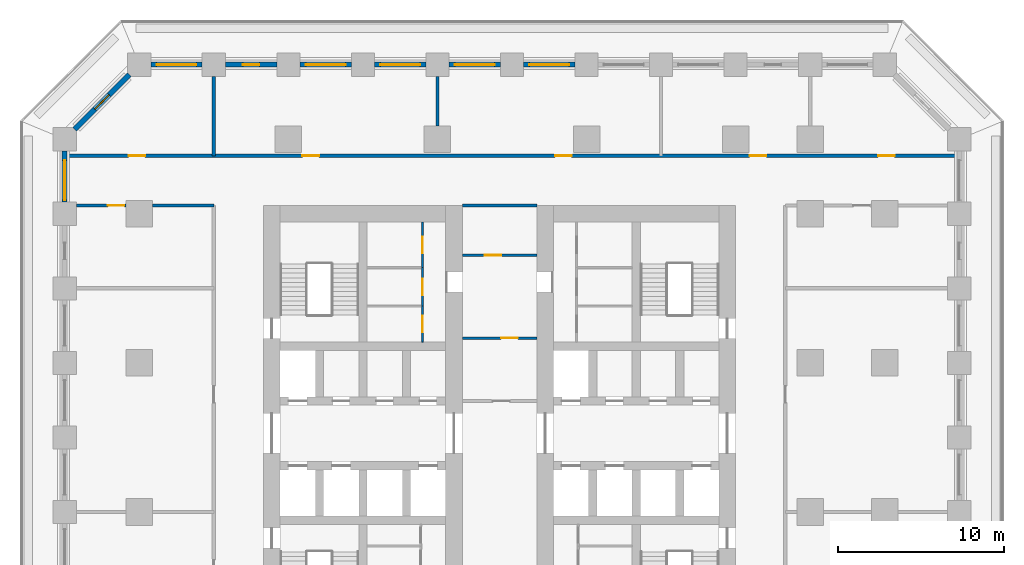
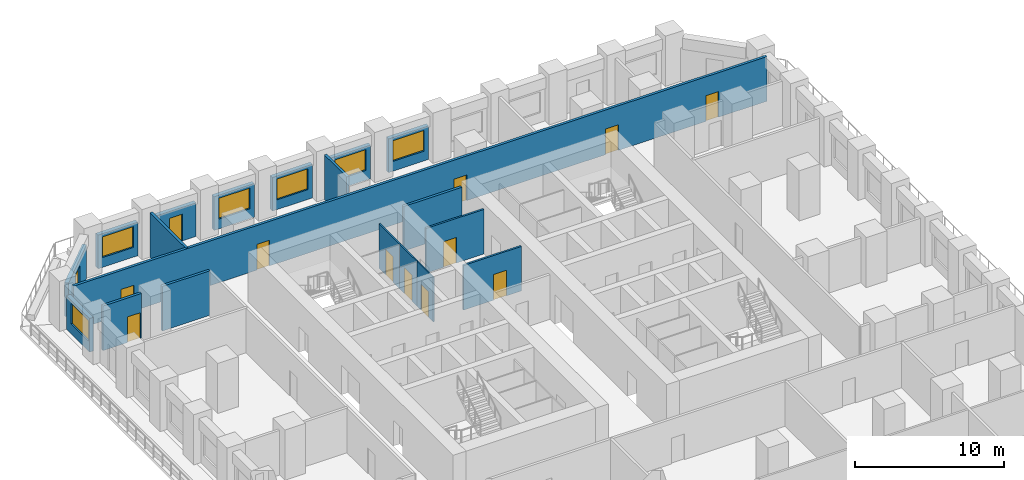
# One storey, part 6 of 11: 19 walls, 13 doors, 6 windows, 19 openings.
"""IFC4 building model written with IfcOpenShell, lengths in metres."""

from ifc_helpers import new_model, si_unit, direction, frame, frame_2d, origin, place, context, subcontext, project, spatial, rectangle, extrude, material, layer, layer_set, type_object, element, fill, save


model = new_model("IFC4")

# Units and contexts
model_context = context("Model", 3, precision=1e-05, world=origin(), true_north=direction((0.0, 1.0)))
body_context = subcontext(model_context, "Body", "Model", "MODEL_VIEW")
ifc_project = project(units=[si_unit("LENGTHUNIT", "METRE"), si_unit("AREAUNIT", "SQUARE_METRE"), si_unit("VOLUMEUNIT", "CUBIC_METRE"), si_unit("PLANEANGLEUNIT", "RADIAN"), si_unit("MASSUNIT", "GRAM", prefix="KILO")], contexts=[model_context])

# Site, building, storey
site_placement = place(None, origin())
site = spatial("IfcSite", under=ifc_project, at=site_placement, CompositionType="ELEMENT")
building_placement = place(site_placement, origin())
building = spatial("IfcBuilding", under=site, at=building_placement, Name="Corbel Stack Research Tower", CompositionType="ELEMENT")
storey_placement = place(building_placement, frame((0.0, 0.0, 46.0)))
storey = spatial("IfcBuildingStorey", under=building, at=storey_placement, Name="L10", CompositionType="ELEMENT", Elevation=46.0)

# Wall, opening, door
ifc_material_1 = material(Name="Gypsum board")
ifc_layer_1 = layer(ifc_material_1, 0.10009765625)
ifc_layer_set_1 = layer_set([ifc_layer_1], Name="Gypsum board")
wall_type_1 = type_object("IfcWallType", Name="Core partition 100", PredefinedType="PARTITIONING", material=ifc_layer_set_1)
wall_1_placement = place(storey_placement, frame((-0.89990234375, 10.25, 0.0), z_axis=(0.0, 0.0, 1.0), x_axis=(0.0, 1.0, 0.0)))
wall_1 = element("IfcWall", 1, at=wall_1_placement, inside=storey, type_object=wall_type_1, Name="Core partition W", PredefinedType="PARTITIONING", context=body_context, shape_type="SweptSolid", body=[
    extrude(rectangle(XDim=2.175048828125, YDim=0.10009765625, at=frame_2d((1.08740234375, 0.0))), origin(), (0.0, 0.0, 1.0), 3.64990234375),
])
opening_1_placement = place(wall_1_placement, frame((0.58740234375, 0.0, 0.0)))
opening_1 = element("IfcOpeningElement", 2, at=opening_1_placement, cuts=wall_1, Name="Opening CR-W42-R2-1000", PredefinedType="OPENING", context=body_context, shape_type="SweptSolid", body=[
    extrude(rectangle(XDim=1.0, YDim=2.10009765625, at=frame_2d((0.5, 1.050048828125))), frame((0.0, 0.06005859375, 0.0), z_axis=(0.0, -1.0, 0.0), x_axis=(1.0, 0.0, 0.0)), (0.0, 0.0, 1.0), 0.1201171875),
])
ifc_material_2 = material(Name="Painted steel door", Category="steel")
door_type_1 = type_object("IfcDoorType", Name="Riser door 1000 x 2100 FD60 right hand", OperationType="SINGLE_SWING_RIGHT", PredefinedType="DOOR", material=ifc_material_2)
door_1_placement = place(opening_1_placement, origin())
door_1 = element("IfcDoor", 3, at=door_1_placement, inside=storey, type_object=door_type_1, Name="Mechanical riser door W core", OperationType="SINGLE_SWING_RIGHT", OverallHeight=2.10009765625, OverallWidth=1.0, PredefinedType="DOOR", context=body_context, shape_type="SweptSolid", body=[
    extrude(rectangle(XDim=1.0, YDim=2.10009765625, at=frame_2d((0.5, 1.050048828125))), frame((0.0, 0.02490234375, 0.0), z_axis=(0.0, -1.0, 0.0), x_axis=(1.0, 0.0, 0.0)), (0.0, 0.0, 1.0), 0.050048828125),
])
fill(opening_1, door_1)

wall_2_placement = place(storey_placement, frame((-0.89990234375, 12.425048828125, 0.0), z_axis=(0.0, 0.0, 1.0), x_axis=(0.0, 1.0, 0.0)))
wall_2 = element("IfcWall", 4, at=wall_2_placement, inside=storey, type_object=wall_type_1, Name="Core partition W", PredefinedType="PARTITIONING", context=body_context, shape_type="SweptSolid", body=[
    extrude(rectangle(XDim=2.320068359375, YDim=0.10009765625, at=frame_2d((1.16015625, 0.0))), origin(), (0.0, 0.0, 1.0), 3.64990234375),
])
opening_2_placement = place(wall_2_placement, frame((0.659912109375, 0.0, 0.0)))
opening_2 = element("IfcOpeningElement", 5, at=opening_2_placement, cuts=wall_2, Name="Opening CR-W42-R3-1000", PredefinedType="OPENING", context=body_context, shape_type="SweptSolid", body=[
    extrude(rectangle(XDim=1.0, YDim=2.10009765625, at=frame_2d((0.5, 1.050048828125))), frame((0.0, 0.06005859375, 0.0), z_axis=(0.0, -1.0, 0.0), x_axis=(1.0, 0.0, 0.0)), (0.0, 0.0, 1.0), 0.1201171875),
])
ifc_material_3 = material(Name="Painted steel door", Category="steel")
door_type_2 = type_object("IfcDoorType", Name="Service door 1000 x 2100 FD30 left hand", OperationType="SINGLE_SWING_LEFT", PredefinedType="DOOR", material=ifc_material_3)
door_2_placement = place(opening_2_placement, origin())
door_2 = element("IfcDoor", 6, at=door_2_placement, inside=storey, type_object=door_type_2, Name="Pantry door W core", OperationType="SINGLE_SWING_LEFT", OverallHeight=2.10009765625, OverallWidth=1.0, PredefinedType="DOOR", context=body_context, shape_type="SweptSolid", body=[
    extrude(rectangle(XDim=1.0, YDim=2.10009765625, at=frame_2d((0.5, 1.050048828125))), frame((0.0, 0.02490234375, 0.0), z_axis=(0.0, -1.0, 0.0), x_axis=(1.0, 0.0, 0.0)), (0.0, 0.0, 1.0), 0.050048828125),
])
fill(opening_2, door_2)

wall_3_placement = place(storey_placement, frame((-0.89990234375, 14.7451171875, 0.0), z_axis=(0.0, 0.0, 1.0), x_axis=(0.0, 1.0, 0.0)))
wall_3 = element("IfcWall", 7, at=wall_3_placement, inside=storey, type_object=wall_type_1, Name="Core partition W", PredefinedType="PARTITIONING", context=body_context, shape_type="SweptSolid", body=[
    extrude(rectangle(XDim=2.7548828125, YDim=0.10009765625, at=frame_2d((1.37744140625, 0.0))), origin(), (0.0, 0.0, 1.0), 3.64990234375),
])
opening_3_placement = place(wall_3_placement, frame((0.87744140625, 0.0, 0.0)))
opening_3 = element("IfcOpeningElement", 8, at=opening_3_placement, cuts=wall_3, Name="Opening CR-W42-R4-1000", PredefinedType="OPENING", context=body_context, shape_type="SweptSolid", body=[
    extrude(rectangle(XDim=1.0, YDim=2.10009765625, at=frame_2d((0.5, 1.050048828125))), frame((0.0, 0.06005859375, 0.0), z_axis=(0.0, -1.0, 0.0), x_axis=(1.0, 0.0, 0.0)), (0.0, 0.0, 1.0), 0.1201171875),
])
door_3_placement = place(opening_3_placement, origin())
door_3 = element("IfcDoor", 9, at=door_3_placement, inside=storey, type_object=door_type_1, Name="Electrical riser door W core", OperationType="SINGLE_SWING_RIGHT", OverallHeight=2.10009765625, OverallWidth=1.0, PredefinedType="DOOR", context=body_context, shape_type="SweptSolid", body=[
    extrude(rectangle(XDim=1.0, YDim=2.10009765625, at=frame_2d((0.5, 1.050048828125))), frame((0.0, 0.02490234375, 0.0), z_axis=(0.0, -1.0, 0.0), x_axis=(1.0, 0.0, 0.0)), (0.0, 0.0, 1.0), 0.050048828125),
])
fill(opening_3, door_3)

# Walls
ifc_material_4 = material(Name="Fire-rated gypsum board partition on steel studs", Category="steel")
ifc_layer_2 = layer(ifc_material_4, 0.199951171875)
ifc_layer_set_2 = layer_set([ifc_layer_2], Name="Fire-rated gypsum board partition on steel studs")
wall_type_2 = type_object("IfcWallType", Name="Fire-rated partition 200 EI 60", PredefinedType="PARTITIONING", material=ifc_layer_set_2)
wall_4_placement = place(storey_placement, frame((-13.5, 21.5, 0.0), z_axis=(0.0, 0.0, 1.0), x_axis=(0.0, 1.0, 0.0)))
element("IfcWall", 10, at=wall_4_placement, inside=storey, type_object=wall_type_2, Name="Partition L10-003", PredefinedType="PARTITIONING", context=body_context, shape_type="SweptSolid", body=[
    extrude(rectangle(XDim=4.800048828125, YDim=0.199951171875, at=frame_2d((2.39990234375, 0.0))), origin(), (0.0, 0.0, 1.0), 3.64990234375),
])
wall_5_placement = place(storey_placement, frame((0.0, 23.300048828125, 0.0), z_axis=(0.0, 0.0, 1.0), x_axis=(0.0, 1.0, 0.0)))
element("IfcWall", 11, at=wall_5_placement, inside=storey, type_object=wall_type_2, Name="Partition L10-006", PredefinedType="PARTITIONING", context=body_context, shape_type="SweptSolid", body=[
    extrude(rectangle(XDim=3.0, YDim=0.199951171875, at=frame_2d((1.5, 0.0))), origin(), (0.0, 0.0, 1.0), 3.64990234375),
])

# Wall, opening, door
wall_6_placement = place(storey_placement, frame((-18.800048828125, 18.5, 0.0), z_axis=(0.0, 0.0, 1.0), x_axis=(-1.0, 0.0, 0.0)))
wall_6 = element("IfcWall", 12, at=wall_6_placement, inside=storey, type_object=wall_type_2, Name="Partition L10-030", PredefinedType="PARTITIONING", context=body_context, shape_type="SweptSolid", body=[
    extrude(rectangle(XDim=3.0, YDim=0.199951171875, at=frame_2d((1.5, 0.0))), origin(), (0.0, 0.0, 1.0), 3.64990234375),
])
opening_4_placement = place(wall_6_placement, frame((0.10009765625, 0.0, 0.0)))
opening_4 = element("IfcOpeningElement", 13, at=opening_4_placement, cuts=wall_6, Name="Opening B2V1-017", PredefinedType="OPENING", context=body_context, shape_type="SweptSolid", body=[
    extrude(rectangle(XDim=1.0, YDim=2.10009765625, at=frame_2d((0.5, 1.050048828125))), frame((0.0, 0.10986328125, 0.0), z_axis=(0.0, -1.0, 0.0), x_axis=(1.0, 0.0, 0.0)), (0.0, 0.0, 1.0), 0.219970703125),
])
ifc_material_5 = material(Name="Painted steel fire door", Category="steel")
door_type_3 = type_object("IfcDoorType", Name="Fire door FD30S 1000 x 2100", OperationType="NOTDEFINED", PredefinedType="DOOR", material=ifc_material_5)
door_4_placement = place(opening_4_placement, origin())
door_4 = element("IfcDoor", 14, at=door_4_placement, inside=storey, type_object=door_type_3, Name="Door B2V1-017", OperationType="SINGLE_SWING_LEFT", OverallHeight=2.10009765625, OverallWidth=1.0, PredefinedType="DOOR", context=body_context, shape_type="SweptSolid", body=[
    extrude(rectangle(XDim=1.0, YDim=2.10009765625, at=frame_2d((0.5, 1.050048828125))), frame((0.0, 0.02490234375, 0.0), z_axis=(0.0, -1.0, 0.0), x_axis=(1.0, 0.0, 0.0)), (0.0, 0.0, 1.0), 0.050048828125),
])
fill(opening_4, door_4)

# Walls
wall_7_placement = place(storey_placement, frame((-17.199951171875, 18.5, 0.0), z_axis=(0.0, 0.0, 1.0), x_axis=(1.0, 0.0, 0.0)))
element("IfcWall", 15, at=wall_7_placement, inside=storey, type_object=wall_type_2, Name="Partition L10-031", PredefinedType="PARTITIONING", context=body_context, shape_type="SweptSolid", body=[
    extrude(rectangle(XDim=3.699951171875, YDim=0.199951171875, at=frame_2d((1.85009765625, 0.0))), origin(), (0.0, 0.0, 1.0), 3.64990234375),
])
wall_8_placement = place(storey_placement, frame((1.5, 18.5, 0.0), z_axis=(0.0, 0.0, 1.0), x_axis=(1.0, 0.0, 0.0)))
element("IfcWall", 16, at=wall_8_placement, inside=storey, type_object=wall_type_2, Name="Partition L10-032", PredefinedType="PARTITIONING", context=body_context, shape_type="SweptSolid", body=[
    extrude(rectangle(XDim=4.5, YDim=0.199951171875, at=frame_2d((2.25, 0.0))), origin(), (0.0, 0.0, 1.0), 3.64990234375),
])

# Wall, openings, doors
wall_9_placement = place(storey_placement, frame((-22.35009765625, 21.5, 0.0), z_axis=(0.0, 0.0, 1.0), x_axis=(1.0, 0.0, 0.0)))
wall_9 = element("IfcWall", 17, at=wall_9_placement, inside=storey, type_object=wall_type_2, Name="Partition L10-036", PredefinedType="PARTITIONING", context=body_context, shape_type="SweptSolid", body=[
    extrude(rectangle(XDim=53.7001953125, YDim=0.199951171875, at=frame_2d((26.85009765625, 0.0))), origin(), (0.0, 0.0, 1.0), 3.64990234375),
])
opening_5_placement = place(wall_9_placement, frame((3.699951171875, 0.0, 0.0)))
opening_5 = element("IfcOpeningElement", 18, at=opening_5_placement, cuts=wall_9, Name="Opening B2V1-020", PredefinedType="OPENING", context=body_context, shape_type="SweptSolid", body=[
    extrude(rectangle(XDim=1.0, YDim=2.10009765625, at=frame_2d((0.5, 1.050048828125))), frame((0.0, 0.10986328125, 0.0), z_axis=(0.0, -1.0, 0.0), x_axis=(1.0, 0.0, 0.0)), (0.0, 0.0, 1.0), 0.219970703125),
])
opening_6_placement = place(wall_9_placement, frame((14.199951171875, 0.0, 0.0)))
opening_6 = element("IfcOpeningElement", 19, at=opening_6_placement, cuts=wall_9, Name="Opening B2V1-021", PredefinedType="OPENING", context=body_context, shape_type="SweptSolid", body=[
    extrude(rectangle(XDim=1.0, YDim=2.10009765625, at=frame_2d((0.5, 1.050048828125))), frame((0.0, 0.10986328125, 0.0), z_axis=(0.0, -1.0, 0.0), x_axis=(1.0, 0.0, 0.0)), (0.0, 0.0, 1.0), 0.219970703125),
])
opening_7_placement = place(wall_9_placement, frame((29.449951171875, 0.0, 0.0)))
opening_7 = element("IfcOpeningElement", 20, at=opening_7_placement, cuts=wall_9, Name="Opening B2V1-022", PredefinedType="OPENING", context=body_context, shape_type="SweptSolid", body=[
    extrude(rectangle(XDim=1.0, YDim=2.10009765625, at=frame_2d((0.5, 1.050048828125))), frame((0.0, 0.10986328125, 0.0), z_axis=(0.0, -1.0, 0.0), x_axis=(1.0, 0.0, 0.0)), (0.0, 0.0, 1.0), 0.219970703125),
])
opening_8_placement = place(wall_9_placement, frame((41.199951171875, 0.0, 0.0)))
opening_8 = element("IfcOpeningElement", 21, at=opening_8_placement, cuts=wall_9, Name="Opening B2V1-023", PredefinedType="OPENING", context=body_context, shape_type="SweptSolid", body=[
    extrude(rectangle(XDim=1.0, YDim=2.10009765625, at=frame_2d((0.5, 1.050048828125))), frame((0.0, 0.10986328125, 0.0), z_axis=(0.0, -1.0, 0.0), x_axis=(1.0, 0.0, 0.0)), (0.0, 0.0, 1.0), 0.219970703125),
])
opening_9_placement = place(wall_9_placement, frame((48.949951171875, 0.0, 0.0)))
opening_9 = element("IfcOpeningElement", 22, at=opening_9_placement, cuts=wall_9, Name="Opening B2V1-024", PredefinedType="OPENING", context=body_context, shape_type="SweptSolid", body=[
    extrude(rectangle(XDim=1.0, YDim=2.10009765625, at=frame_2d((0.5, 1.050048828125))), frame((0.0, 0.10986328125, 0.0), z_axis=(0.0, -1.0, 0.0), x_axis=(1.0, 0.0, 0.0)), (0.0, 0.0, 1.0), 0.219970703125),
])
door_5_placement = place(opening_5_placement, origin())
door_5 = element("IfcDoor", 23, at=door_5_placement, inside=storey, type_object=door_type_3, Name="Door B2V1-020", OperationType="SINGLE_SWING_LEFT", OverallHeight=2.10009765625, OverallWidth=1.0, PredefinedType="DOOR", context=body_context, shape_type="SweptSolid", body=[
    extrude(rectangle(XDim=1.0, YDim=2.10009765625, at=frame_2d((0.5, 1.050048828125))), frame((0.0, 0.02490234375, 0.0), z_axis=(0.0, -1.0, 0.0), x_axis=(1.0, 0.0, 0.0)), (0.0, 0.0, 1.0), 0.050048828125),
])
fill(opening_5, door_5)
door_6_placement = place(opening_6_placement, origin())
door_6 = element("IfcDoor", 24, at=door_6_placement, inside=storey, type_object=door_type_3, Name="Door B2V1-021", OperationType="SINGLE_SWING_LEFT", OverallHeight=2.10009765625, OverallWidth=1.0, PredefinedType="DOOR", context=body_context, shape_type="SweptSolid", body=[
    extrude(rectangle(XDim=1.0, YDim=2.10009765625, at=frame_2d((0.5, 1.050048828125))), frame((0.0, 0.02490234375, 0.0), z_axis=(0.0, -1.0, 0.0), x_axis=(1.0, 0.0, 0.0)), (0.0, 0.0, 1.0), 0.050048828125),
])
fill(opening_6, door_6)
door_7_placement = place(opening_7_placement, origin())
door_7 = element("IfcDoor", 25, at=door_7_placement, inside=storey, type_object=door_type_3, Name="Door B2V1-022", OperationType="SINGLE_SWING_RIGHT", OverallHeight=2.10009765625, OverallWidth=1.0, PredefinedType="DOOR", context=body_context, shape_type="SweptSolid", body=[
    extrude(rectangle(XDim=1.0, YDim=2.10009765625, at=frame_2d((0.5, 1.050048828125))), frame((0.0, 0.02490234375, 0.0), z_axis=(0.0, -1.0, 0.0), x_axis=(1.0, 0.0, 0.0)), (0.0, 0.0, 1.0), 0.050048828125),
])
fill(opening_7, door_7)
door_8_placement = place(opening_8_placement, origin())
door_8 = element("IfcDoor", 26, at=door_8_placement, inside=storey, type_object=door_type_3, Name="Door B2V1-023", OperationType="SINGLE_SWING_RIGHT", OverallHeight=2.10009765625, OverallWidth=1.0, PredefinedType="DOOR", context=body_context, shape_type="SweptSolid", body=[
    extrude(rectangle(XDim=1.0, YDim=2.10009765625, at=frame_2d((0.5, 1.050048828125))), frame((0.0, 0.02490234375, 0.0), z_axis=(0.0, -1.0, 0.0), x_axis=(1.0, 0.0, 0.0)), (0.0, 0.0, 1.0), 0.050048828125),
])
fill(opening_8, door_8)
door_9_placement = place(opening_9_placement, origin())
door_9 = element("IfcDoor", 27, at=door_9_placement, inside=storey, type_object=door_type_3, Name="Door B2V1-024", OperationType="SINGLE_SWING_RIGHT", OverallHeight=2.10009765625, OverallWidth=1.0, PredefinedType="DOOR", context=body_context, shape_type="SweptSolid", body=[
    extrude(rectangle(XDim=1.0, YDim=2.10009765625, at=frame_2d((0.5, 1.050048828125))), frame((0.0, 0.02490234375, 0.0), z_axis=(0.0, -1.0, 0.0), x_axis=(1.0, 0.0, 0.0)), (0.0, 0.0, 1.0), 0.050048828125),
])
fill(opening_9, door_9)

# Wall, opening, door
ifc_material_6 = material(Name="Gypsum board partition on steel studs", Category="steel")
ifc_layer_3 = layer(ifc_material_6, 0.14990234375)
ifc_layer_set_3 = layer_set([ifc_layer_3], Name="Gypsum board partition on steel studs")
wall_type_3 = type_object("IfcWallType", Name="Partition 150", PredefinedType="PARTITIONING", material=ifc_layer_set_3)
wall_10_placement = place(storey_placement, frame((1.5, 10.5, 0.0), z_axis=(0.0, 0.0, 1.0), x_axis=(1.0, 0.0, 0.0)))
wall_10 = element("IfcWall", 28, at=wall_10_placement, inside=storey, type_object=wall_type_3, Name="Partition L10-026", PredefinedType="PARTITIONING", context=body_context, shape_type="SweptSolid", body=[
    extrude(rectangle(XDim=4.5, YDim=0.14990234375, at=frame_2d((2.25, 0.0))), origin(), (0.0, 0.0, 1.0), 3.64990234375),
])
opening_10_placement = place(wall_10_placement, frame((2.35009765625, 0.0, 0.0)))
opening_10 = element("IfcOpeningElement", 29, at=opening_10_placement, cuts=wall_10, Name="Opening B2V1-015", PredefinedType="OPENING", context=body_context, shape_type="SweptSolid", body=[
    extrude(rectangle(XDim=1.0, YDim=2.10009765625, at=frame_2d((0.5, 1.050048828125))), frame((0.0, 0.0849609375, 0.0), z_axis=(0.0, -1.0, 0.0), x_axis=(1.0, 0.0, 0.0)), (0.0, 0.0, 1.0), 0.169921875),
])
ifc_material_7 = material(Name="Painted timber door", Category="wood")
door_type_4 = type_object("IfcDoorType", Name="Single door 1000 x 2100", OperationType="NOTDEFINED", PredefinedType="DOOR", material=ifc_material_7)
door_10_placement = place(opening_10_placement, origin())
door_10 = element("IfcDoor", 30, at=door_10_placement, inside=storey, type_object=door_type_4, Name="Door B2V1-015", OperationType="SINGLE_SWING_RIGHT", OverallHeight=2.10009765625, OverallWidth=1.0, PredefinedType="DOOR", context=body_context, shape_type="SweptSolid", body=[
    extrude(rectangle(XDim=1.0, YDim=2.10009765625, at=frame_2d((0.5, 1.050048828125))), frame((0.0, 0.02490234375, 0.0), z_axis=(0.0, -1.0, 0.0), x_axis=(1.0, 0.0, 0.0)), (0.0, 0.0, 1.0), 0.050048828125),
])
fill(opening_10, door_10)

wall_11_placement = place(storey_placement, frame((1.5, 15.5, 0.0), z_axis=(0.0, 0.0, 1.0), x_axis=(1.0, 0.0, 0.0)))
wall_11 = element("IfcWall", 31, at=wall_11_placement, inside=storey, type_object=wall_type_3, Name="Partition L10-029", PredefinedType="PARTITIONING", context=body_context, shape_type="SweptSolid", body=[
    extrude(rectangle(XDim=4.5, YDim=0.14990234375, at=frame_2d((2.25, 0.0))), origin(), (0.0, 0.0, 1.0), 3.64990234375),
])
opening_11_placement = place(wall_11_placement, frame((1.35009765625, 0.0, 0.0)))
opening_11 = element("IfcOpeningElement", 32, at=opening_11_placement, cuts=wall_11, Name="Opening B2V1-016", PredefinedType="OPENING", context=body_context, shape_type="SweptSolid", body=[
    extrude(rectangle(XDim=1.0, YDim=2.10009765625, at=frame_2d((0.5, 1.050048828125))), frame((0.0, 0.0849609375, 0.0), z_axis=(0.0, -1.0, 0.0), x_axis=(1.0, 0.0, 0.0)), (0.0, 0.0, 1.0), 0.169921875),
])
door_11_placement = place(opening_11_placement, origin())
door_11 = element("IfcDoor", 33, at=door_11_placement, inside=storey, type_object=door_type_4, Name="Door B2V1-016", OperationType="SINGLE_SWING_LEFT", OverallHeight=2.10009765625, OverallWidth=1.0, PredefinedType="DOOR", context=body_context, shape_type="SweptSolid", body=[
    extrude(rectangle(XDim=1.0, YDim=2.10009765625, at=frame_2d((0.5, 1.050048828125))), frame((0.0, 0.02490234375, 0.0), z_axis=(0.0, -1.0, 0.0), x_axis=(1.0, 0.0, 0.0)), (0.0, 0.0, 1.0), 0.050048828125),
])
fill(opening_11, door_11)

# Wall, opening, window
ifc_material_8 = material(Name="Concrete C45/55", Category="concrete")
ifc_layer_4 = layer(ifc_material_8, 0.300048828125)
ifc_layer_set_4 = layer_set([ifc_layer_4], Name="Concrete C45/55")
wall_type_4 = type_object("IfcWallType", Name="Terracotta-faced concrete wall 300", PredefinedType="SOLIDWALL", material=ifc_layer_set_4)
wall_12_placement = place(storey_placement, frame((5.199951171875, 27.0, 0.0), z_axis=(0.0, 0.0, 1.0), x_axis=(1.0, 0.0, 0.0)))
wall_12 = element("IfcWall", 34, at=wall_12_placement, inside=storey, type_object=wall_type_4, Name="Facade wall L10 N05", PredefinedType="SOLIDWALL", context=body_context, shape_type="SweptSolid", body=[
    extrude(rectangle(XDim=3.10009765625, YDim=0.300048828125, at=frame_2d((1.550048828125, 0.0))), origin(), (0.0, 0.0, 1.0), 2.75),
])
opening_12_placement = place(wall_12_placement, frame((0.35009765625, 0.0, 0.800048828125)))
opening_12 = element("IfcOpeningElement", 35, at=opening_12_placement, cuts=wall_12, Name="Opening W1", PredefinedType="OPENING", context=body_context, shape_type="SweptSolid", body=[
    extrude(rectangle(XDim=2.39990234375, YDim=1.699951171875, at=frame_2d((1.199951171875, 0.85009765625))), frame((0.0, 0.159912109375, 0.0), z_axis=(0.0, -1.0, 0.0), x_axis=(1.0, 0.0, 0.0)), (0.0, 0.0, 1.0), 0.320068359375),
])
ifc_material_9 = material(Name="Aluminium frame, clear double glazing", Category="aluminium")
window_type = type_object("IfcWindowType", Name="Window W1 2400 x 1700", PartitioningType="SINGLE_PANEL", PredefinedType="WINDOW", material=ifc_material_9)
window_1_placement = place(opening_12_placement, origin())
window_1 = element("IfcWindow", 36, at=window_1_placement, inside=storey, type_object=window_type, Name="Window W1 L10 N05", OverallHeight=1.699951171875, OverallWidth=2.39990234375, PartitioningType="SINGLE_PANEL", PredefinedType="WINDOW", context=body_context, shape_type="SweptSolid", body=[
    extrude(rectangle(XDim=2.39990234375, YDim=1.699951171875, at=frame_2d((1.199951171875, 0.85009765625))), frame((0.0, 0.030029296875, 0.0), z_axis=(0.0, -1.0, 0.0), x_axis=(1.0, 0.0, 0.0)), (0.0, 0.0, 1.0), 0.06005859375),
])
fill(opening_12, window_1)

wall_13_placement = place(storey_placement, frame((0.699951171875, 27.0, 0.0), z_axis=(0.0, 0.0, 1.0), x_axis=(1.0, 0.0, 0.0)))
wall_13 = element("IfcWall", 37, at=wall_13_placement, inside=storey, type_object=wall_type_4, Name="Facade wall L10 N06", PredefinedType="SOLIDWALL", context=body_context, shape_type="SweptSolid", body=[
    extrude(rectangle(XDim=3.10009765625, YDim=0.300048828125, at=frame_2d((1.550048828125, 0.0))), origin(), (0.0, 0.0, 1.0), 2.75),
])
opening_13_placement = place(wall_13_placement, frame((0.35009765625, 0.0, 0.800048828125)))
opening_13 = element("IfcOpeningElement", 38, at=opening_13_placement, cuts=wall_13, Name="Opening W1", PredefinedType="OPENING", context=body_context, shape_type="SweptSolid", body=[
    extrude(rectangle(XDim=2.39990234375, YDim=1.699951171875, at=frame_2d((1.199951171875, 0.85009765625))), frame((0.0, 0.159912109375, 0.0), z_axis=(0.0, -1.0, 0.0), x_axis=(1.0, 0.0, 0.0)), (0.0, 0.0, 1.0), 0.320068359375),
])
window_2_placement = place(opening_13_placement, origin())
window_2 = element("IfcWindow", 39, at=window_2_placement, inside=storey, type_object=window_type, Name="Window W1 L10 N06", OverallHeight=1.699951171875, OverallWidth=2.39990234375, PartitioningType="SINGLE_PANEL", PredefinedType="WINDOW", context=body_context, shape_type="SweptSolid", body=[
    extrude(rectangle(XDim=2.39990234375, YDim=1.699951171875, at=frame_2d((1.199951171875, 0.85009765625))), frame((0.0, 0.030029296875, 0.0), z_axis=(0.0, -1.0, 0.0), x_axis=(1.0, 0.0, 0.0)), (0.0, 0.0, 1.0), 0.06005859375),
])
fill(opening_13, window_2)

wall_14_placement = place(storey_placement, frame((-3.800048828125, 27.0, 0.0), z_axis=(0.0, 0.0, 1.0), x_axis=(1.0, 0.0, 0.0)))
wall_14 = element("IfcWall", 40, at=wall_14_placement, inside=storey, type_object=wall_type_4, Name="Facade wall L10 N07", PredefinedType="SOLIDWALL", context=body_context, shape_type="SweptSolid", body=[
    extrude(rectangle(XDim=3.10009765625, YDim=0.300048828125, at=frame_2d((1.550048828125, 0.0))), origin(), (0.0, 0.0, 1.0), 2.75),
])
opening_14_placement = place(wall_14_placement, frame((0.35009765625, 0.0, 0.800048828125)))
opening_14 = element("IfcOpeningElement", 41, at=opening_14_placement, cuts=wall_14, Name="Opening W1", PredefinedType="OPENING", context=body_context, shape_type="SweptSolid", body=[
    extrude(rectangle(XDim=2.39990234375, YDim=1.699951171875, at=frame_2d((1.199951171875, 0.85009765625))), frame((0.0, 0.159912109375, 0.0), z_axis=(0.0, -1.0, 0.0), x_axis=(1.0, 0.0, 0.0)), (0.0, 0.0, 1.0), 0.320068359375),
])
window_3_placement = place(opening_14_placement, origin())
window_3 = element("IfcWindow", 42, at=window_3_placement, inside=storey, type_object=window_type, Name="Window W1 L10 N07", OverallHeight=1.699951171875, OverallWidth=2.39990234375, PartitioningType="SINGLE_PANEL", PredefinedType="WINDOW", context=body_context, shape_type="SweptSolid", body=[
    extrude(rectangle(XDim=2.39990234375, YDim=1.699951171875, at=frame_2d((1.199951171875, 0.85009765625))), frame((0.0, 0.030029296875, 0.0), z_axis=(0.0, -1.0, 0.0), x_axis=(1.0, 0.0, 0.0)), (0.0, 0.0, 1.0), 0.06005859375),
])
fill(opening_14, window_3)

wall_15_placement = place(storey_placement, frame((-8.300048828125, 27.0, 0.0), z_axis=(0.0, 0.0, 1.0), x_axis=(1.0, 0.0, 0.0)))
wall_15 = element("IfcWall", 43, at=wall_15_placement, inside=storey, type_object=wall_type_4, Name="Facade wall L10 N08", PredefinedType="SOLIDWALL", context=body_context, shape_type="SweptSolid", body=[
    extrude(rectangle(XDim=3.10009765625, YDim=0.300048828125, at=frame_2d((1.550048828125, 0.0))), origin(), (0.0, 0.0, 1.0), 2.75),
])
opening_15_placement = place(wall_15_placement, frame((0.35009765625, 0.0, 0.800048828125)))
opening_15 = element("IfcOpeningElement", 44, at=opening_15_placement, cuts=wall_15, Name="Opening W1", PredefinedType="OPENING", context=body_context, shape_type="SweptSolid", body=[
    extrude(rectangle(XDim=2.39990234375, YDim=1.699951171875, at=frame_2d((1.199951171875, 0.85009765625))), frame((0.0, 0.159912109375, 0.0), z_axis=(0.0, -1.0, 0.0), x_axis=(1.0, 0.0, 0.0)), (0.0, 0.0, 1.0), 0.320068359375),
])
window_4_placement = place(opening_15_placement, origin())
window_4 = element("IfcWindow", 45, at=window_4_placement, inside=storey, type_object=window_type, Name="Window W1 L10 N08", OverallHeight=1.699951171875, OverallWidth=2.39990234375, PartitioningType="SINGLE_PANEL", PredefinedType="WINDOW", context=body_context, shape_type="SweptSolid", body=[
    extrude(rectangle(XDim=2.39990234375, YDim=1.699951171875, at=frame_2d((1.199951171875, 0.85009765625))), frame((0.0, 0.030029296875, 0.0), z_axis=(0.0, -1.0, 0.0), x_axis=(1.0, 0.0, 0.0)), (0.0, 0.0, 1.0), 0.06005859375),
])
fill(opening_15, window_4)

# Wall, opening, door
wall_16_placement = place(storey_placement, frame((-12.800048828125, 27.0, 0.0), z_axis=(0.0, 0.0, 1.0), x_axis=(1.0, 0.0, 0.0)))
wall_16 = element("IfcWall", 46, at=wall_16_placement, inside=storey, type_object=wall_type_4, Name="Facade wall L10 N09", PredefinedType="SOLIDWALL", context=body_context, shape_type="SweptSolid", body=[
    extrude(rectangle(XDim=3.10009765625, YDim=0.300048828125, at=frame_2d((1.550048828125, 0.0))), origin(), (0.0, 0.0, 1.0), 2.75),
])
opening_16_placement = place(wall_16_placement, frame((1.050048828125, 0.0, 0.0)))
opening_16 = element("IfcOpeningElement", 47, at=opening_16_placement, cuts=wall_16, Name="Opening L10-B08", PredefinedType="OPENING", context=body_context, shape_type="SweptSolid", body=[
    extrude(rectangle(XDim=1.0, YDim=2.199951171875, at=frame_2d((0.5, 1.10009765625))), frame((0.0, 0.159912109375, 0.0), z_axis=(0.0, -1.0, 0.0), x_axis=(1.0, 0.0, 0.0)), (0.0, 0.0, 1.0), 0.320068359375),
])
ifc_material_10 = material(Name="Aluminium frame, clear double glazing", Category="aluminium")
door_type_5 = type_object("IfcDoorType", Name="Balcony door BD1 1000 x 2200", OperationType="NOTDEFINED", PredefinedType="DOOR", material=ifc_material_10)
door_12_placement = place(opening_16_placement, origin())
door_12 = element("IfcDoor", 48, at=door_12_placement, inside=storey, type_object=door_type_5, Name="Balcony door L10-B08", OperationType="SINGLE_SWING_LEFT", OverallHeight=2.199951171875, OverallWidth=1.0, PredefinedType="DOOR", context=body_context, shape_type="SweptSolid", body=[
    extrude(rectangle(XDim=1.0, YDim=2.199951171875, at=frame_2d((0.5, 1.10009765625))), frame((0.0, 0.02490234375, 0.0), z_axis=(0.0, -1.0, 0.0), x_axis=(1.0, 0.0, 0.0)), (0.0, 0.0, 1.0), 0.050048828125),
])
fill(opening_16, door_12)

# Wall, opening, window
wall_17_placement = place(storey_placement, frame((-17.300048828125, 27.0, 0.0), z_axis=(0.0, 0.0, 1.0), x_axis=(1.0, 0.0, 0.0)))
wall_17 = element("IfcWall", 49, at=wall_17_placement, inside=storey, type_object=wall_type_4, Name="Facade wall L10 N10", PredefinedType="SOLIDWALL", context=body_context, shape_type="SweptSolid", body=[
    extrude(rectangle(XDim=3.10009765625, YDim=0.300048828125, at=frame_2d((1.550048828125, 0.0))), origin(), (0.0, 0.0, 1.0), 2.75),
])
opening_17_placement = place(wall_17_placement, frame((0.35009765625, 0.0, 0.800048828125)))
opening_17 = element("IfcOpeningElement", 50, at=opening_17_placement, cuts=wall_17, Name="Opening W1", PredefinedType="OPENING", context=body_context, shape_type="SweptSolid", body=[
    extrude(rectangle(XDim=2.39990234375, YDim=1.699951171875, at=frame_2d((1.199951171875, 0.85009765625))), frame((0.0, 0.159912109375, 0.0), z_axis=(0.0, -1.0, 0.0), x_axis=(1.0, 0.0, 0.0)), (0.0, 0.0, 1.0), 0.320068359375),
])
window_5_placement = place(opening_17_placement, origin())
window_5 = element("IfcWindow", 51, at=window_5_placement, inside=storey, type_object=window_type, Name="Window W1 L10 N10", OverallHeight=1.699951171875, OverallWidth=2.39990234375, PartitioningType="SINGLE_PANEL", PredefinedType="WINDOW", context=body_context, shape_type="SweptSolid", body=[
    extrude(rectangle(XDim=2.39990234375, YDim=1.699951171875, at=frame_2d((1.199951171875, 0.85009765625))), frame((0.0, 0.030029296875, 0.0), z_axis=(0.0, -1.0, 0.0), x_axis=(1.0, 0.0, 0.0)), (0.0, 0.0, 1.0), 0.06005859375),
])
fill(opening_17, window_5)

# Wall, opening, door
wall_18_placement = place(storey_placement, frame((-21.906005859375, 23.093994140625, 0.0), z_axis=(0.0, 0.0, 1.0), x_axis=(0.707106781187, 0.707106781187, 0.0)))
wall_18 = element("IfcWall", 52, at=wall_18_placement, inside=storey, type_object=wall_type_4, Name="Facade wall L10 NW01", PredefinedType="SOLIDWALL", context=body_context, shape_type="SweptSolid", body=[
    extrude(rectangle(XDim=4.683837890625, YDim=0.300048828125, at=frame_2d((2.341796875, 0.0))), origin(), (0.0, 0.0, 1.0), 2.75),
])
opening_18_placement = place(wall_18_placement, frame((1.741943359375, 0.0, 0.0)))
opening_18 = element("IfcOpeningElement", 53, at=opening_18_placement, cuts=wall_18, Name="Opening L10-B09", PredefinedType="OPENING", context=body_context, shape_type="SweptSolid", body=[
    extrude(rectangle(XDim=1.199951171875, YDim=2.199951171875, at=frame_2d((0.60009765625, 1.10009765625))), frame((0.0, 0.159912109375, 0.0), z_axis=(0.0, -1.0, 0.0), x_axis=(1.0, 0.0, 0.0)), (0.0, 0.0, 1.0), 0.320068359375),
])
ifc_material_11 = material(Name="Aluminium frame, clear double glazing", Category="aluminium")
door_type_6 = type_object("IfcDoorType", Name="Balcony door BD2 1200 x 2200", OperationType="NOTDEFINED", PredefinedType="DOOR", material=ifc_material_11)
door_13_placement = place(opening_18_placement, origin())
door_13 = element("IfcDoor", 54, at=door_13_placement, inside=storey, type_object=door_type_6, Name="Balcony door L10-B09", OperationType="SINGLE_SWING_LEFT", OverallHeight=2.199951171875, OverallWidth=1.199951171875, PredefinedType="DOOR", context=body_context, shape_type="SweptSolid", body=[
    extrude(rectangle(XDim=1.199951171875, YDim=2.199951171875, at=frame_2d((0.60009765625, 1.10009765625))), frame((0.0, 0.02490234375, 0.0), z_axis=(0.0, -1.0, 0.0), x_axis=(1.0, 0.0, 0.0)), (0.0, 0.0, 1.0), 0.050048828125),
])
fill(opening_18, door_13)

# Wall, opening, window
wall_19_placement = place(storey_placement, frame((-22.5, 18.699951171875, 0.0), z_axis=(0.0, 0.0, 1.0), x_axis=(0.0, 1.0, 0.0)))
wall_19 = element("IfcWall", 55, at=wall_19_placement, inside=storey, type_object=wall_type_4, Name="Facade wall L10 W01", PredefinedType="SOLIDWALL", context=body_context, shape_type="SweptSolid", body=[
    extrude(rectangle(XDim=3.10009765625, YDim=0.300048828125, at=frame_2d((1.550048828125, 0.0))), origin(), (0.0, 0.0, 1.0), 2.75),
])
opening_19_placement = place(wall_19_placement, frame((0.125, 0.0, 0.800048828125)))
opening_19 = element("IfcOpeningElement", 56, at=opening_19_placement, cuts=wall_19, Name="Opening W1", PredefinedType="OPENING", context=body_context, shape_type="SweptSolid", body=[
    extrude(rectangle(XDim=2.39990234375, YDim=1.699951171875, at=frame_2d((1.199951171875, 0.85009765625))), frame((0.0, 0.159912109375, 0.0), z_axis=(0.0, -1.0, 0.0), x_axis=(1.0, 0.0, 0.0)), (0.0, 0.0, 1.0), 0.320068359375),
])
window_6_placement = place(opening_19_placement, origin())
window_6 = element("IfcWindow", 57, at=window_6_placement, inside=storey, type_object=window_type, Name="Window W1 L10 W01", OverallHeight=1.699951171875, OverallWidth=2.39990234375, PartitioningType="SINGLE_PANEL", PredefinedType="WINDOW", context=body_context, shape_type="SweptSolid", body=[
    extrude(rectangle(XDim=2.39990234375, YDim=1.699951171875, at=frame_2d((1.199951171875, 0.85009765625))), frame((0.0, 0.030029296875, 0.0), z_axis=(0.0, -1.0, 0.0), x_axis=(1.0, 0.0, 0.0)), (0.0, 0.0, 1.0), 0.06005859375),
])
fill(opening_19, window_6)

save(model, "model.ifc")
